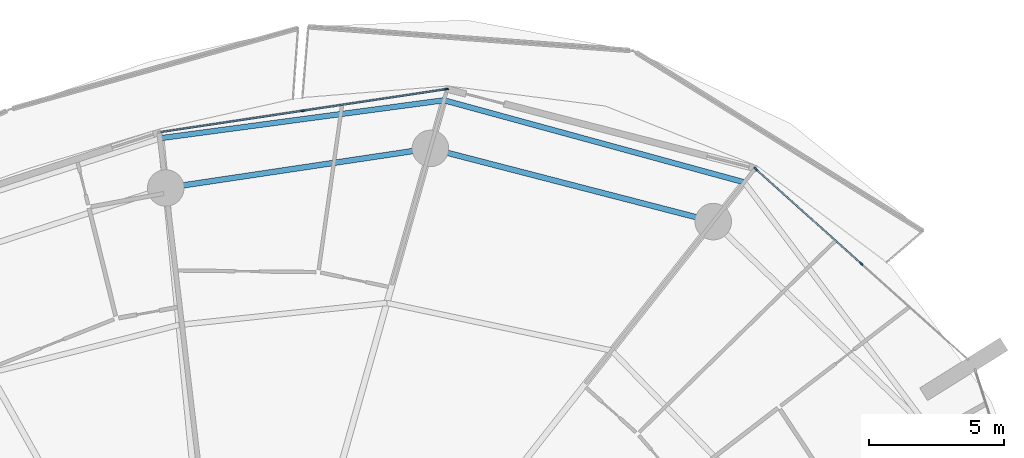
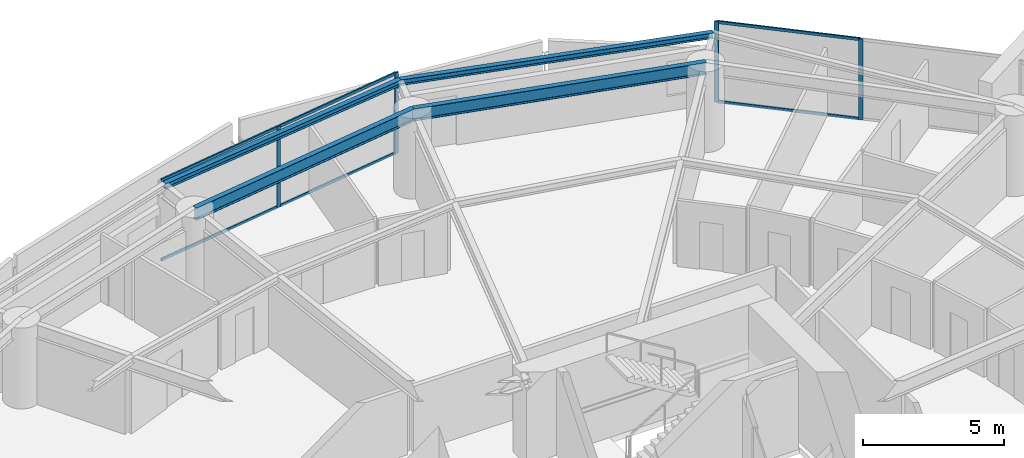
# One storey, part 16 of 32: 10 members, 4 beams, 2 elements without a shape of their own.
"""IFC4 building model written with IfcOpenShell, lengths in metres."""

from ifc_helpers import new_model, si_unit, direction, frame, origin, origin_2d, place, context, subcontext, project, spatial, rectangle, i_section, extrude, material, layer, layer_set, material_profile, profile_set, type_object, element, aggregate, save


model = new_model("IFC4")

# Units and contexts
model_context = context("Model", 3, precision=1e-05, world=origin(), true_north=direction((0.0, 1.0)))
body_context = subcontext(model_context, "Body", "Model", "MODEL_VIEW")
ifc_project = project(units=[si_unit("LENGTHUNIT", "METRE"), si_unit("AREAUNIT", "SQUARE_METRE"), si_unit("VOLUMEUNIT", "CUBIC_METRE"), si_unit("PLANEANGLEUNIT", "RADIAN"), si_unit("MASSUNIT", "GRAM", prefix="KILO")], contexts=[model_context])

# Site, building, storey
site_placement = place(None, origin())
site = spatial("IfcSite", under=ifc_project, at=site_placement, CompositionType="ELEMENT")
building_placement = place(site_placement, origin())
building = spatial("IfcBuilding", under=site, at=building_placement, Name="Kazma Halo Residences", CompositionType="ELEMENT")
storey_placement = place(building_placement, frame((0.0, 0.0, 63.89990234375)))
storey = spatial("IfcBuildingStorey", under=building, at=storey_placement, Name="L15", CompositionType="ELEMENT", Elevation=63.89990234375)

# Beams
ifc_material_1 = material(Name="Steel S355", Category="steel")
ifc_material_profile_1 = material_profile(ifc_material_1, i_section(OverallWidth=0.201904296875, OverallDepth=0.2470703125, WebThickness=0.00732421875, FlangeThickness=0.010986328125, FilletRadius=0.011962890625, at=origin_2d()), Name="W250x49.1")
ifc_profile_set_1 = profile_set([ifc_material_profile_1], Name="Steel S355")
beam_type_1 = type_object("IfcBeamType", Name="BM-BAL-CANT", PredefinedType="BEAM", material=ifc_profile_set_1)
beam_1_placement = place(storey_placement, frame((66.603515625, 65.598388671875, 3.376708984375), z_axis=(-0.964628474934, 0.263613173697, 0.0), x_axis=(-0.263613173697, -0.964628474934, 0.0)))
element("IfcBeam", 1, at=beam_1_placement, inside=storey, type_object=beam_type_1, Name="L15 wave-balcony tie beam 02", PredefinedType="BEAM", context=body_context, shape_type="SweptSolid", body=[
    extrude(i_section(OverallWidth=0.201904296875, OverallDepth=0.2470703125, WebThickness=0.00732421875, FlangeThickness=0.010986328125, FilletRadius=0.011962890625, at=origin_2d()), origin(), (0.0, 0.0, 1.0), 11.499755859375),
])
beam_2_placement = place(storey_placement, frame((55.510498046875, 68.6298828125, 3.376708984375), z_axis=(-0.991168183526, -0.13261082899, 0.0), x_axis=(0.13261082899, -0.991168183526, 0.0)))
element("IfcBeam", 2, at=beam_2_placement, inside=storey, type_object=beam_type_1, Name="L15 wave-balcony tie beam 03", PredefinedType="BEAM", context=body_context, shape_type="SweptSolid", body=[
    extrude(i_section(OverallWidth=0.201904296875, OverallDepth=0.2470703125, WebThickness=0.00732421875, FlangeThickness=0.010986328125, FilletRadius=0.011962890625, at=origin_2d()), origin(), (0.0, 0.0, 1.0), 10.551025390625),
])
ifc_material_profile_2 = material_profile(ifc_material_1, i_section(OverallWidth=0.208984375, OverallDepth=0.532958984375, WebThickness=0.01025390625, FlangeThickness=0.015625, FilletRadius=0.01611328125, at=origin_2d()), Name="W530x92")
ifc_profile_set_2 = profile_set([ifc_material_profile_2], Name="Steel S355")
beam_type_2 = type_object("IfcBeamType", Name="BM-SPN-W530", PredefinedType="BEAM", material=ifc_profile_set_2)
beam_3_placement = place(storey_placement, frame((65.458251953125, 64.145751953125, 3.233642578125), z_axis=(-0.968123558238, 0.250473104313, 0.0), x_axis=(-0.250473104313, -0.968123558238, 0.0)))
element("IfcBeam", 3, at=beam_3_placement, inside=storey, type_object=beam_type_2, Name="L15 perimeter ring beam 02", PredefinedType="BEAM", context=body_context, shape_type="SweptSolid", body=[
    extrude(i_section(OverallWidth=0.208984375, OverallDepth=0.532958984375, WebThickness=0.01025390625, FlangeThickness=0.015625, FilletRadius=0.01611328125, at=origin_2d()), origin(), (0.0, 0.0, 1.0), 10.7939453125),
])
beam_4_placement = place(storey_placement, frame((55.00830078125, 66.849365234375, 3.233642578125), z_axis=(-0.989033061974, -0.147694286693, 0.0), x_axis=(0.147694286693, -0.989033061974, 0.0)))
element("IfcBeam", 4, at=beam_4_placement, inside=storey, type_object=beam_type_2, Name="L15 perimeter ring beam 03", PredefinedType="BEAM", context=body_context, shape_type="SweptSolid", body=[
    extrude(i_section(OverallWidth=0.208984375, OverallDepth=0.532958984375, WebThickness=0.01025390625, FlangeThickness=0.015625, FilletRadius=0.01611328125, at=origin_2d()), origin(), (0.0, 0.0, 1.0), 9.885009765625),
])

# Curtain wall, members
ifc_material_2 = material(Name="Aluminium AW-6063 T6 and Triple-Silver Low-E Glass", Category="aluminium")
ifc_layer = layer(ifc_material_2, 0.159912109375)
ifc_layer_set = layer_set([ifc_layer], Name="Aluminium AW-6063 T6 and Triple-Silver Low-E Glass")
curtain_wall_type = type_object("IfcCurtainWallType", Name="CW-SYS-2", PredefinedType="NOTDEFINED", material=ifc_layer_set)
curtain_wall_1_placement = place(storey_placement, origin())
curtain_wall_1 = element("IfcCurtainWall", 5, at=curtain_wall_1_placement, inside=storey, type_object=curtain_wall_type, Name="L15 unitised curtain wall B01", PredefinedType="NOTDEFINED")
ifc_material_3 = material(Name="Aluminium AW-6063 T6", Category="aluminium")
ifc_material_profile_3 = material_profile(ifc_material_3, rectangle(XDim=0.06005859375, YDim=0.159912109375, at=origin_2d()), Name="CWM-60x160")
ifc_profile_set_3 = profile_set([ifc_material_profile_3], Name="Aluminium AW-6063 T6")
member_type_1 = type_object("IfcMemberType", Name="CW-SYS-2-MUL", PredefinedType="MULLION", material=ifc_profile_set_3)
member_1_placement = place(storey_placement, frame((70.92724609375, 62.590087890625, 0.0), z_axis=(0.0, 0.0, 1.0), x_axis=(-0.667821453854, -0.744321506993, 0.0)))
member_1 = element("IfcMember", 6, at=member_1_placement, type_object=member_type_1, Name="CWS-2 mullion 2", PredefinedType="MULLION", context=body_context, shape_type="SweptSolid", body=[
    extrude(rectangle(XDim=0.06005859375, YDim=0.159912109375, at=origin_2d()), origin(), (0.0, 0.0, 1.0), 3.5),
])
member_2_placement = place(storey_placement, frame((67.028076171875, 66.088623046875, 0.0), z_axis=(0.0, 0.0, 1.0), x_axis=(-0.667821453854, -0.744321506993, 0.0)))
member_2 = element("IfcMember", 7, at=member_2_placement, type_object=member_type_1, Name="CWS-2 mullion 3", PredefinedType="MULLION", context=body_context, shape_type="SweptSolid", body=[
    extrude(rectangle(XDim=0.06005859375, YDim=0.159912109375, at=origin_2d()), origin(), (0.0, 0.0, 1.0), 3.5),
])

curtain_wall_2_placement = place(storey_placement, origin())
curtain_wall_2 = element("IfcCurtainWall", 8, at=curtain_wall_2_placement, inside=storey, type_object=curtain_wall_type, Name="L15 unitised curtain wall B03", PredefinedType="NOTDEFINED")
member_3_placement = place(storey_placement, frame((55.596923828125, 69.037841796875, 0.0), z_axis=(0.0, 0.0, 1.0), x_axis=(0.148657272805, -0.988888777994, 0.0)))
member_3 = element("IfcMember", 9, at=member_3_placement, type_object=member_type_1, Name="CWS-2 mullion 1", PredefinedType="MULLION", context=body_context, shape_type="SweptSolid", body=[
    extrude(rectangle(XDim=0.06005859375, YDim=0.159912109375, at=origin_2d()), origin(), (0.0, 0.0, 1.0), 3.5),
])
member_4_placement = place(storey_placement, frame((50.3076171875, 68.24267578125, 0.0), z_axis=(0.0, 0.0, 1.0), x_axis=(0.148657272805, -0.988888777994, 0.0)))
member_4 = element("IfcMember", 10, at=member_4_placement, type_object=member_type_1, Name="CWS-2 mullion 2", PredefinedType="MULLION", context=body_context, shape_type="SweptSolid", body=[
    extrude(rectangle(XDim=0.06005859375, YDim=0.159912109375, at=origin_2d()), origin(), (0.0, 0.0, 1.0), 3.5),
])

# Member
ifc_material_profile_4 = material_profile(ifc_material_3, rectangle(XDim=0.06005859375, YDim=0.1201171875, at=origin_2d()), Name="CWT-60x120")
ifc_profile_set_4 = profile_set([ifc_material_profile_4], Name="Aluminium AW-6063 T6")
member_type_2 = type_object("IfcMemberType", Name="CW-SYS-2-TRN", PredefinedType="USERDEFINED", material=ifc_profile_set_4)
member_5_placement = place(storey_placement, frame((70.905029296875, 62.6103515625, 0.030029296875), z_axis=(-0.744329408538, 0.66781264707, 0.0), x_axis=(-0.66781264707, -0.744329408538, 0.0)))
member_5 = element("IfcMember", 11, at=member_5_placement, type_object=member_type_2, Name="CWS-2 transom 2.1", ObjectType="TRANSOM", PredefinedType="USERDEFINED", context=body_context, shape_type="SweptSolid", body=[
    extrude(rectangle(XDim=0.06005859375, YDim=0.1201171875, at=origin_2d()), origin(), (0.0, 0.0, 1.0), 5.178466796875),
])

member_6_placement = place(storey_placement, frame((70.905029296875, 62.6103515625, 3.47021484375), z_axis=(-0.744329408538, 0.66781264707, 0.0), x_axis=(-0.66781264707, -0.744329408538, 0.0)))
member_6 = element("IfcMember", 12, at=member_6_placement, type_object=member_type_2, Name="CWS-2 transom 2.2", ObjectType="TRANSOM", PredefinedType="USERDEFINED", context=body_context, shape_type="SweptSolid", body=[
    extrude(rectangle(XDim=0.06005859375, YDim=0.1201171875, at=origin_2d()), origin(), (0.0, 0.0, 1.0), 5.178466796875),
])

aggregate(curtain_wall_1, [member_1, member_2, member_5, member_6])

member_7_placement = place(storey_placement, frame((55.5673828125, 69.033203125, 0.030029296875), z_axis=(-0.988890934274, -0.148642928222, 0.0), x_axis=(0.148642928222, -0.988890934274, 0.0)))
member_7 = element("IfcMember", 13, at=member_7_placement, type_object=member_type_2, Name="CWS-2 transom 1.1", ObjectType="TRANSOM", PredefinedType="USERDEFINED", context=body_context, shape_type="SweptSolid", body=[
    extrude(rectangle(XDim=0.06005859375, YDim=0.1201171875, at=origin_2d()), origin(), (0.0, 0.0, 1.0), 5.288818359375),
])

member_8_placement = place(storey_placement, frame((55.5673828125, 69.033203125, 3.47021484375), z_axis=(-0.988890934274, -0.148642928222, 0.0), x_axis=(0.148642928222, -0.988890934274, 0.0)))
member_8 = element("IfcMember", 14, at=member_8_placement, type_object=member_type_2, Name="CWS-2 transom 1.2", ObjectType="TRANSOM", PredefinedType="USERDEFINED", context=body_context, shape_type="SweptSolid", body=[
    extrude(rectangle(XDim=0.06005859375, YDim=0.1201171875, at=origin_2d()), origin(), (0.0, 0.0, 1.0), 5.288818359375),
])

member_9_placement = place(storey_placement, frame((50.278076171875, 68.238037109375, 0.030029296875), z_axis=(-0.98889195415, -0.148636143041, 0.0), x_axis=(0.148636143041, -0.98889195415, 0.0)))
member_9 = element("IfcMember", 15, at=member_9_placement, type_object=member_type_2, Name="CWS-2 transom 2.1", ObjectType="TRANSOM", PredefinedType="USERDEFINED", context=body_context, shape_type="SweptSolid", body=[
    extrude(rectangle(XDim=0.06005859375, YDim=0.1201171875, at=origin_2d()), origin(), (0.0, 0.0, 1.0), 5.2890625),
])

member_10_placement = place(storey_placement, frame((50.278076171875, 68.238037109375, 3.47021484375), z_axis=(-0.98889195415, -0.148636143041, 0.0), x_axis=(0.148636143041, -0.98889195415, 0.0)))
member_10 = element("IfcMember", 16, at=member_10_placement, type_object=member_type_2, Name="CWS-2 transom 2.2", ObjectType="TRANSOM", PredefinedType="USERDEFINED", context=body_context, shape_type="SweptSolid", body=[
    extrude(rectangle(XDim=0.06005859375, YDim=0.1201171875, at=origin_2d()), origin(), (0.0, 0.0, 1.0), 5.2890625),
])

aggregate(curtain_wall_2, [member_3, member_4, member_7, member_8, member_9, member_10])

save(model, "model.ifc")
